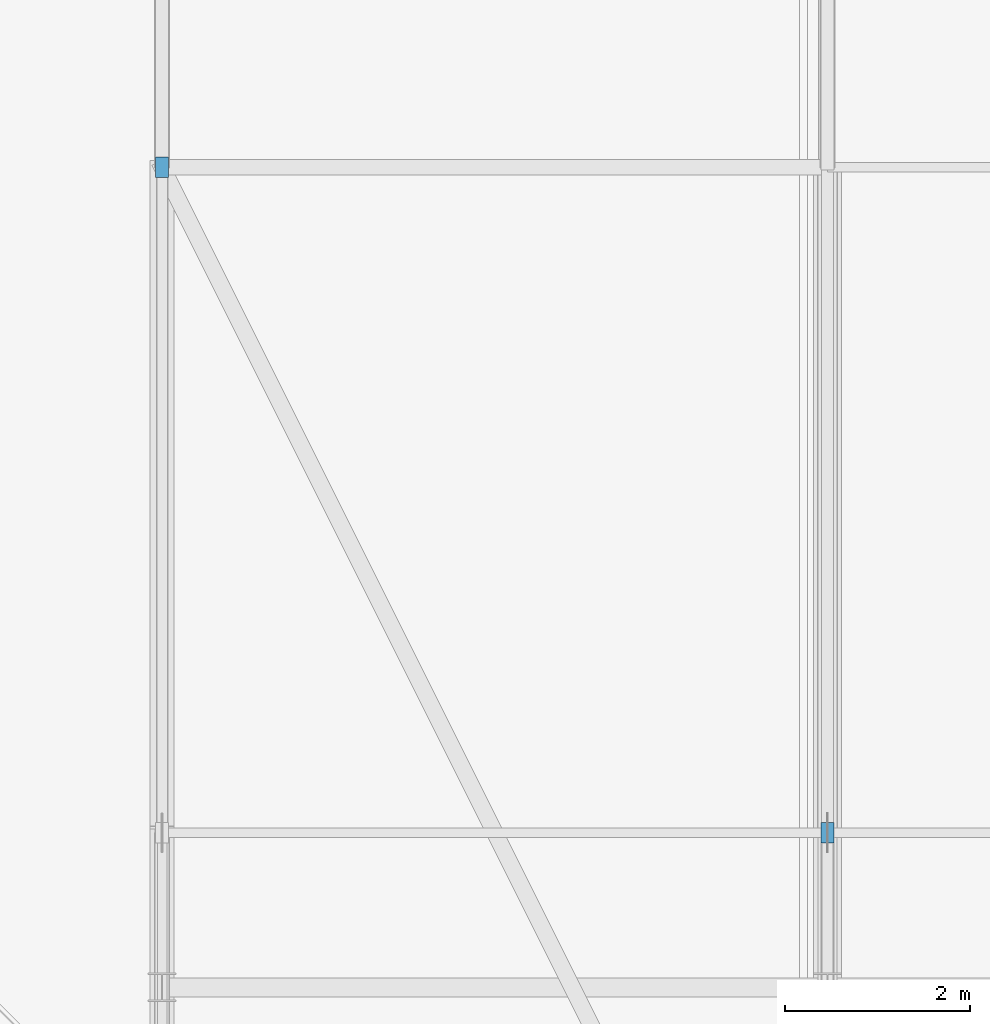
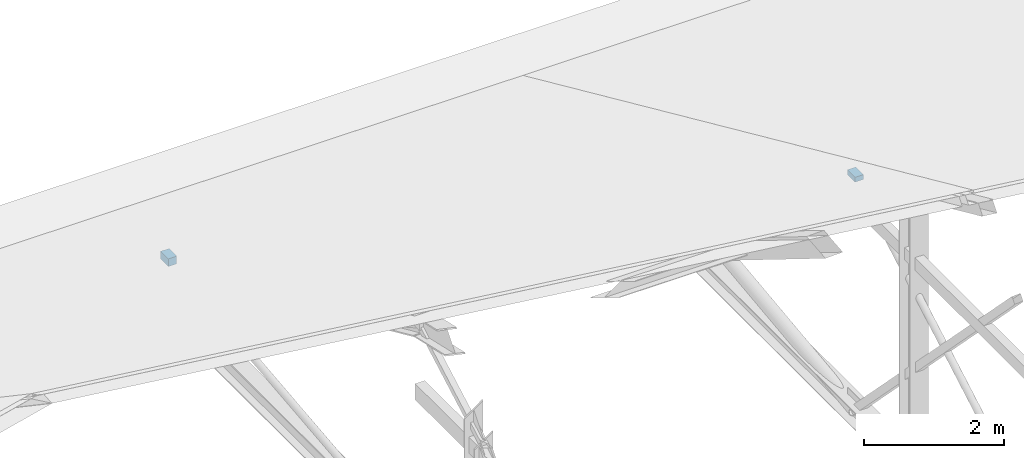
# One storey, part 44 of 100: 2 members.
"""IFC4 building model written with IfcOpenShell, lengths in metres."""

import ifcopenshell
import ifcopenshell.guid

model = None  # the IFC model being written
_history = None  # IfcOwnerHistory: only IFC2X3 demands one
_inside = {}  # id of a spatial element -> (the spatial element, [elements in it])
_under = {}  # id of a project, library or spatial element -> (it, [spatial elements below it])
_declared = {}  # id of a project -> (the project, [libraries it declares])
_typed = {}  # id of a type object -> (the type object, [elements of that type])
_made_of = {}  # id of a material, layer set ... -> (it, [elements and type objects made of it])


def new_model(schema):
    """Start an empty IFC model of exactly this schema.

    Asked for "IFC4X3", IfcOpenShell would pick the latest addendum, in which some entities
    have other attributes; the version numbers below select the first issue.
    IFC2X3 requires an IfcOwnerHistory on every rooted entity: one is made here for all.
    """
    global model, _history
    if schema == "IFC4X3":
        model = ifcopenshell.file(schema_version=(4, 3, 0, 0))
    else:
        model = ifcopenshell.file(schema=schema)
    _inside.clear()
    _under.clear()
    _declared.clear()
    _typed.clear()
    _made_of.clear()
    _history = None
    if model.schema == "IFC2X3":
        org = make("IfcOrganization", Name="unknown")
        user = make(
            "IfcPersonAndOrganization",
            ThePerson=make("IfcPerson", FamilyName="unknown"),
            TheOrganization=org,
        )
        app = make(
            "IfcApplication",
            ApplicationDeveloper=org,
            Version="unknown",
            ApplicationFullName="unknown",
            ApplicationIdentifier="unknown",
        )
        _history = make(
            "IfcOwnerHistory",
            OwningUser=user,
            OwningApplication=app,
            ChangeAction="ADDED",
            CreationDate=0,
        )
    return model


def make(cls, **values):
    """One entity of the class cls with the attributes given. An attribute that is None is left unset."""
    return model.create_entity(
        cls, **{name: value for name, value in values.items() if value is not None}
    )


def rooted(cls, **values):
    """An entity with a GlobalId (a new one), such as an element, a storey or a relation."""
    return make(cls, GlobalId=ifcopenshell.guid.new(), OwnerHistory=_history, **values)


def si_unit(unit_type, name, prefix=None):
    """IfcSIUnit, for example si_unit("LENGTHUNIT", "METRE", prefix="MILLI")."""
    return make("IfcSIUnit", UnitType=unit_type, Prefix=prefix, Name=name)


def assignment(units):
    """IfcUnitAssignment: the units of a project."""
    return None if units is None else make("IfcUnitAssignment", Units=units)


def point(xyz):
    """IfcCartesianPoint."""
    return None if xyz is None else make("IfcCartesianPoint", Coordinates=xyz)


def direction(xyz):
    """IfcDirection."""
    return None if xyz is None else make("IfcDirection", DirectionRatios=xyz)


def frame(location, z_axis=None, x_axis=None):
    """IfcAxis2Placement3D, a coordinate frame: its origin and axes. An axis left out is left unset."""
    return make(
        "IfcAxis2Placement3D",
        Location=point(location),
        Axis=direction(z_axis),
        RefDirection=direction(x_axis),
    )


def frame_2d(location, x_axis=None):
    """IfcAxis2Placement2D, a coordinate frame in the plane: its origin and x axis."""
    return make(
        "IfcAxis2Placement2D", Location=point(location), RefDirection=direction(x_axis)
    )


def origin():
    """The frame at (0, 0, 0) with its axes left unset."""
    return frame((0.0, 0.0, 0.0))


def origin_2d():
    """The frame at (0, 0) in the plane with its x axis left unset."""
    return frame_2d((0.0, 0.0))


def place(relative_to, where):
    """IfcLocalPlacement: puts the frame where relative to a parent placement (None: the world)."""
    return make(
        "IfcLocalPlacement", PlacementRelTo=relative_to, RelativePlacement=where
    )


def context(
    kind, dimensions, precision=None, world=None, true_north=None, identifier=None
):
    """IfcGeometricRepresentationContext, for example the 3D "Model" context."""
    return make(
        "IfcGeometricRepresentationContext",
        ContextIdentifier=identifier,
        ContextType=kind,
        CoordinateSpaceDimension=dimensions,
        Precision=precision,
        WorldCoordinateSystem=world,
        TrueNorth=true_north,
    )


def subcontext(parent, identifier, kind, view, scale=None):
    """IfcGeometricRepresentationSubContext, for example "Body" below "Model"."""
    return make(
        "IfcGeometricRepresentationSubContext",
        ContextIdentifier=identifier,
        ContextType=kind,
        ParentContext=parent,
        TargetScale=scale,
        TargetView=view,
    )


def project(units=None, contexts=None):
    """IfcProject with its units and contexts."""
    return rooted(
        "IfcProject",
        Name="project",
        RepresentationContexts=contexts,
        UnitsInContext=assignment(units),
    )


def spatial(cls, under=None, at=None, **own):
    """A site, building, storey or space (cls), placed at a placement, below another one or the project."""
    s = rooted(cls, ObjectPlacement=at, **own)
    if under is not None:
        _under.setdefault(under.id(), (under, []))[1].append(s)
    return s


def profile(cls, at=None, kind="AREA", **sizes):
    """A parametric profile (cls). Its sizes go by their IFC names, for example OverallWidth=200.0."""
    return make(cls, ProfileType=kind, Position=at, **sizes)


def rectangle(**sizes):
    """IfcRectangleProfileDef."""
    return profile("IfcRectangleProfileDef", **sizes)


def extrude(swept, where, along, depth):
    """IfcExtrudedAreaSolid: the profile swept, set in the frame where, extruded along a direction by depth."""
    return make(
        "IfcExtrudedAreaSolid",
        SweptArea=swept,
        Position=where,
        ExtrudedDirection=direction(along),
        Depth=depth,
    )


def shape(context_of_items, identifier, shape_type, items):
    """IfcShapeRepresentation: the items that make up one representation, for example the "Body"."""
    return make(
        "IfcShapeRepresentation",
        ContextOfItems=context_of_items,
        RepresentationIdentifier=identifier,
        RepresentationType=shape_type,
        Items=items,
    )


def material(Name=None, Category=None):
    """IfcMaterial."""
    return make("IfcMaterial", Name=Name, Category=Category)


def material_profile(
    of_material, cross_section, Name=None, Category=None, Priority=None
):
    """IfcMaterialProfile: a cross section and its material."""
    return make(
        "IfcMaterialProfile",
        Name=Name,
        Material=of_material,
        Profile=cross_section,
        Priority=Priority,
        Category=Category,
    )


def profile_set(profiles, Name=None, composite=None):
    """IfcMaterialProfileSet."""
    return make(
        "IfcMaterialProfileSet",
        Name=Name,
        MaterialProfiles=profiles,
        CompositeProfile=composite,
    )


def made_of(thing, what):
    """Note that an element or type object is made of a material, layer set ...; save() writes the relation."""
    if what is not None:
        _made_of.setdefault(what.id(), (what, []))[1].append(thing)
    return thing


def type_object(cls, material=None, **own):
    """A type object (cls), such as IfcWallType, which elements share."""
    return made_of(rooted(cls, **own), material)


def element(
    cls,
    number,
    at=None,
    inside=None,
    cuts=None,
    type_object=None,
    material=None,
    context=None,
    identifier="Body",
    shape_type=None,
    held_by="IfcProductDefinitionShape",
    body=None,
    shapes=None,
    **own,
):
    """One element of the class cls, such as IfcWall. Its Tag is "e" and its number.

    at: its placement. inside: the storey or other place that contains it. cuts: it is an
    opening in that element (IfcRelVoidsElement). A single representation is given by context,
    identifier, shape_type and body (its items); several are given by shapes. held_by: the class
    of the entity that holds the representations. save() writes the other relations.
    """
    e = rooted(cls, Tag="e%d" % number, ObjectPlacement=at, **own)
    if body is not None:
        shapes = [shape(context, identifier, shape_type, body)]
    if shapes is not None:
        e.Representation = make(held_by, Representations=shapes)
    if inside is not None:
        _inside.setdefault(inside.id(), (inside, []))[1].append(e)
    if cuts is not None:
        rooted(
            "IfcRelVoidsElement", RelatingBuildingElement=cuts, RelatedOpeningElement=e
        )
    if type_object is not None:
        _typed.setdefault(type_object.id(), (type_object, []))[1].append(e)
    return made_of(e, material)


def aggregate(whole, parts):
    """IfcRelAggregates: a whole, such as a stair, and the parts it consists of."""
    return rooted("IfcRelAggregates", RelatingObject=whole, RelatedObjects=parts)


def save(model, path):
    """Write the relations noted so far, then the file.

    IfcRelAggregates (storeys below a building ...), IfcRelContainedInSpatialStructure (elements
    in a storey), IfcRelDefinesByType, IfcRelAssociatesMaterial and IfcRelDeclares: one each for
    every whole, place, type object, material and project.
    """
    for whole, parts in _under.values():
        aggregate(whole, parts)
    for where, things in _inside.values():
        rooted(
            "IfcRelContainedInSpatialStructure",
            RelatedElements=things,
            RelatingStructure=where,
        )
    for kind, things in _typed.values():
        rooted("IfcRelDefinesByType", RelatedObjects=things, RelatingType=kind)
    for what, things in _made_of.values():
        rooted("IfcRelAssociatesMaterial", RelatedObjects=things, RelatingMaterial=what)
    for by, libraries in _declared.values():
        rooted("IfcRelDeclares", RelatingContext=by, RelatedDefinitions=libraries)
    model.write(path)


model = new_model("IFC4")

# Units and contexts
model_context = context("Model", 3, precision=1e-05, world=origin(), true_north=direction((0.0, 1.0)))
body_context = subcontext(model_context, "Body", "Model", "MODEL_VIEW")
ifc_project = project(units=[si_unit("LENGTHUNIT", "METRE"), si_unit("AREAUNIT", "SQUARE_METRE"), si_unit("VOLUMEUNIT", "CUBIC_METRE"), si_unit("PLANEANGLEUNIT", "RADIAN"), si_unit("MASSUNIT", "GRAM", prefix="KILO")], contexts=[model_context])

# Site, building, storey
site_placement = place(None, origin())
site = spatial("IfcSite", under=ifc_project, at=site_placement, CompositionType="ELEMENT")
building_placement = place(site_placement, origin())
building = spatial("IfcBuilding", under=site, at=building_placement, Name="Steenspoor Specialist Clinic", CompositionType="ELEMENT")
storey_placement = place(building_placement, frame((0.0, 0.0, 9.0)))
storey = spatial("IfcBuildingStorey", under=building, at=storey_placement, Name="L02", CompositionType="ELEMENT", Elevation=9.0)

# Members
ifc_material = material(Name="Glulam GL28h", Category="wood")
ifc_material_profile = material_profile(ifc_material, rectangle(XDim=0.139892578125, YDim=0.219970703125, at=origin_2d()), Name="GL28H-140X220")
ifc_profile_set = profile_set([ifc_material_profile], Name="Glulam GL28h")
member_type = type_object("IfcMemberType", Name="MEM-RAFTER-GL220", PredefinedType="RAFTER", material=ifc_profile_set)
member_1_placement = place(storey_placement, frame((132.39990234375, 41.85009765625, 0.921142578125), z_axis=(0.0, 0.0, 1.0), x_axis=(1.0, 0.0, 0.0)))
element("IfcMember", 1, at=member_1_placement, inside=storey, type_object=member_type, Name="ROOF TRUSS Purlin Pack 131A", PredefinedType="RAFTER", context=body_context, shape_type="SweptSolid", body=[
    extrude(rectangle(XDim=0.139892578125, YDim=0.219970703125, at=origin_2d()), origin(), (0.0, 0.0, 1.0), 0.135009765625),
])
member_2_placement = place(storey_placement, frame((139.60009765625, 34.64990234375, 4.240966796875), z_axis=(0.0, 0.0, 1.0), x_axis=(1.0, 0.0, 0.0)))
element("IfcMember", 2, at=member_2_placement, inside=storey, type_object=member_type, Name="ROOF TRUSS Purlin Pack 134A", PredefinedType="RAFTER", context=body_context, shape_type="SweptSolid", body=[
    extrude(rectangle(XDim=0.139892578125, YDim=0.219970703125, at=origin_2d()), origin(), (0.0, 0.0, 1.0), 0.08642578125),
])

save(model, "model.ifc")
